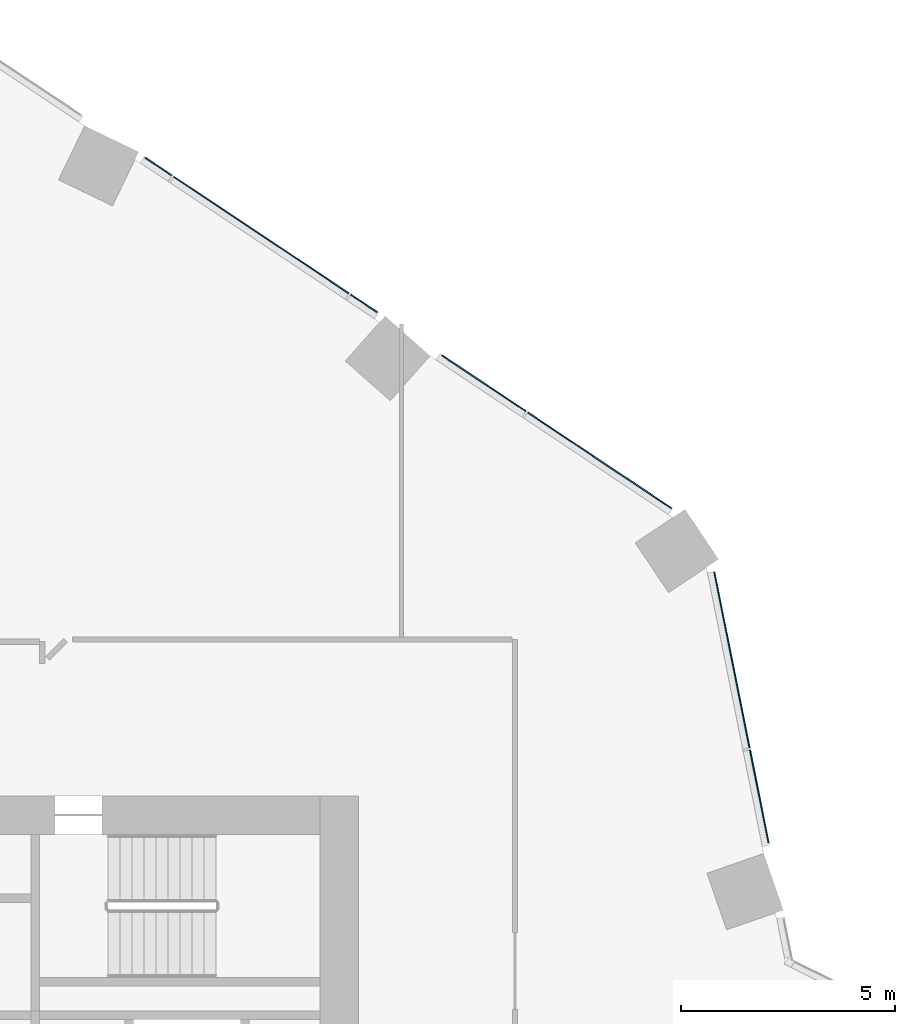
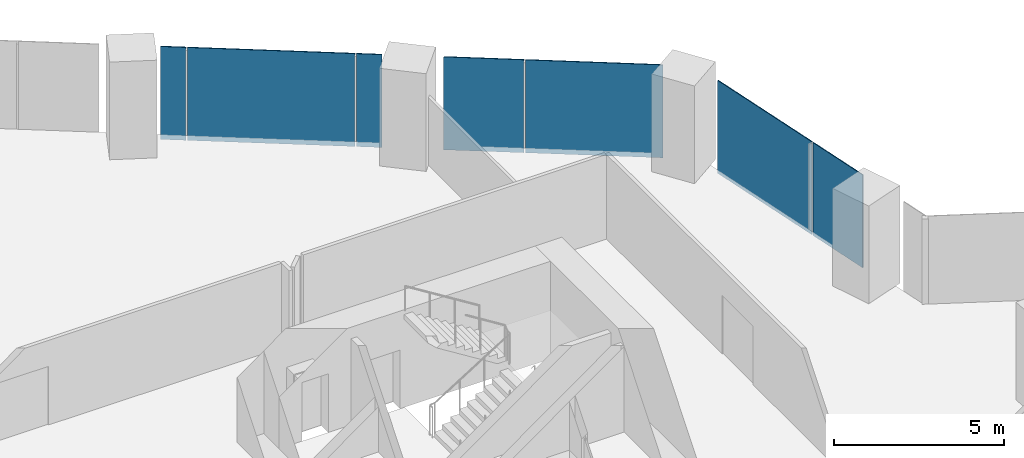
# One storey, part 25 of 38: 7 plates, 2 elements without a shape of their own.
"""IFC4 building model written with IfcOpenShell, lengths in metres."""

from ifc_helpers import new_model, si_unit, direction, frame, origin, origin_2d, place, context, subcontext, project, spatial, rectangle, extrude, material, layer, layer_set, type_object, element, aggregate, save


model = new_model("IFC4")

# Units and contexts
model_context = context("Model", 3, precision=1e-05, world=origin(), true_north=direction((0.0, 1.0)))
body_context = subcontext(model_context, "Body", "Model", "MODEL_VIEW")
ifc_project = project(units=[si_unit("LENGTHUNIT", "METRE"), si_unit("AREAUNIT", "SQUARE_METRE"), si_unit("VOLUMEUNIT", "CUBIC_METRE"), si_unit("PLANEANGLEUNIT", "RADIAN"), si_unit("MASSUNIT", "GRAM", prefix="KILO")], contexts=[model_context])

# Site, building, storey
site_placement = place(None, origin())
site = spatial("IfcSite", under=ifc_project, at=site_placement, CompositionType="ELEMENT")
building_placement = place(site_placement, origin())
building = spatial("IfcBuilding", under=site, at=building_placement, Name="Orlundy Tower", CompositionType="ELEMENT")
storey_placement = place(building_placement, frame((0.0, 0.0, 69.300048828125)))
storey = spatial("IfcBuildingStorey", under=building, at=storey_placement, Name="L16", CompositionType="ELEMENT", Elevation=69.300048828125)

# Curtain wall, plates
ifc_material_1 = material(Name="Aluminium bronze anodised", Category="aluminium")
curtain_wall_type = type_object("IfcCurtainWallType", Name="CW1 wall", PredefinedType="NOTDEFINED", material=ifc_material_1)
curtain_wall_1_placement = place(storey_placement, origin())
curtain_wall_1 = element("IfcCurtainWall", 1, at=curtain_wall_1_placement, inside=storey, type_object=curtain_wall_type, Name="CW1 run 016", PredefinedType="NOTDEFINED")
ifc_material_2 = material(Name="Tinted glass", Category="glass")
ifc_layer = layer(ifc_material_2, 0.031982421875)
ifc_layer_set = layer_set([ifc_layer], Name="CW1 glass panel 32")
plate_type = type_object("IfcPlateType", Name="CW1 glass panel 32", PredefinedType="CURTAIN_PANEL", material=ifc_layer_set)
plate_1_placement = place(storey_placement, frame((14.322265625, 26.703369140625, -0.280029296875), z_axis=(0.0, 0.0, 1.0), x_axis=(0.832279269513, -0.554356579774, 0.0)))
plate_1 = element("IfcPlate", 2, at=plate_1_placement, type_object=plate_type, Name="CW1 panel", PredefinedType="CURTAIN_PANEL", context=body_context, shape_type="SweptSolid", body=[
    extrude(rectangle(XDim=0.745849609375, YDim=0.031982421875, at=origin_2d()), origin(), (0.0, 0.0, 1.0), 3.330078125),
])
plate_2_placement = place(storey_placement, frame((16.721923828125, 25.10498046875, -0.280029296875), z_axis=(0.0, 0.0, 1.0), x_axis=(0.832279269513, -0.554356579774, 0.0)))
plate_2 = element("IfcPlate", 3, at=plate_2_placement, type_object=plate_type, Name="CW1 panel", PredefinedType="CURTAIN_PANEL", context=body_context, shape_type="SweptSolid", body=[
    extrude(rectangle(XDim=4.92041015625, YDim=0.031982421875, at=origin_2d()), origin(), (0.0, 0.0, 1.0), 3.330078125),
])
plate_3_placement = place(storey_placement, frame((19.12158203125, 23.506591796875, -0.280029296875), z_axis=(0.0, 0.0, 1.0), x_axis=(0.832279269513, -0.554356579774, 0.0)))
plate_3 = element("IfcPlate", 4, at=plate_3_placement, type_object=plate_type, Name="CW1 panel", PredefinedType="CURTAIN_PANEL", context=body_context, shape_type="SweptSolid", body=[
    extrude(rectangle(XDim=0.74609375, YDim=0.031982421875, at=origin_2d()), origin(), (0.0, 0.0, 1.0), 3.330078125),
])
plate_4_placement = place(storey_placement, frame((21.92529296875, 21.63916015625, -0.280029296875), z_axis=(0.0, 0.0, 1.0), x_axis=(0.832279269513, -0.554356579774, 0.0)))
plate_4 = element("IfcPlate", 5, at=plate_4_placement, type_object=plate_type, Name="CW1 panel", PredefinedType="CURTAIN_PANEL", context=body_context, shape_type="SweptSolid", body=[
    extrude(rectangle(XDim=2.357421875, YDim=0.031982421875, at=origin_2d()), origin(), (0.0, 0.0, 1.0), 3.330078125),
])
plate_5_placement = place(storey_placement, frame((24.629150390625, 19.83837890625, -0.280029296875), z_axis=(0.0, 0.0, 1.0), x_axis=(0.832279269513, -0.554356579774, 0.0)))
plate_5 = element("IfcPlate", 6, at=plate_5_placement, type_object=plate_type, Name="CW1 panel", PredefinedType="CURTAIN_PANEL", context=body_context, shape_type="SweptSolid", body=[
    extrude(rectangle(XDim=4.039794921875, YDim=0.031982421875, at=origin_2d()), origin(), (0.0, 0.0, 1.0), 3.330078125),
])
aggregate(curtain_wall_1, [plate_1, plate_2, plate_3, plate_4, plate_5])

curtain_wall_2_placement = place(storey_placement, origin())
curtain_wall_2 = element("IfcCurtainWall", 7, at=curtain_wall_2_placement, inside=storey, type_object=curtain_wall_type, Name="CW1 run 017", PredefinedType="NOTDEFINED")
plate_6_placement = place(storey_placement, frame((27.723388671875, 15.17041015625, -0.280029296875), z_axis=(0.0, 0.0, 1.0), x_axis=(0.196529373401, -0.980497937474, 0.0)))
plate_6 = element("IfcPlate", 8, at=plate_6_placement, type_object=plate_type, Name="CW1 panel", PredefinedType="CURTAIN_PANEL", context=body_context, shape_type="SweptSolid", body=[
    extrude(rectangle(XDim=4.18701171875, YDim=0.031982421875, at=origin_2d()), origin(), (0.0, 0.0, 1.0), 3.330078125),
])
plate_7_placement = place(storey_placement, frame((28.36181640625, 11.985595703125, -0.280029296875), z_axis=(0.0, 0.0, 1.0), x_axis=(0.196529373401, -0.980497937474, 0.0)))
plate_7 = element("IfcPlate", 9, at=plate_7_placement, type_object=plate_type, Name="CW1 panel", PredefinedType="CURTAIN_PANEL", context=body_context, shape_type="SweptSolid", body=[
    extrude(rectangle(XDim=2.20947265625, YDim=0.031982421875, at=origin_2d()), origin(), (0.0, 0.0, 1.0), 3.330078125),
])
aggregate(curtain_wall_2, [plate_6, plate_7])

save(model, "model.ifc")
